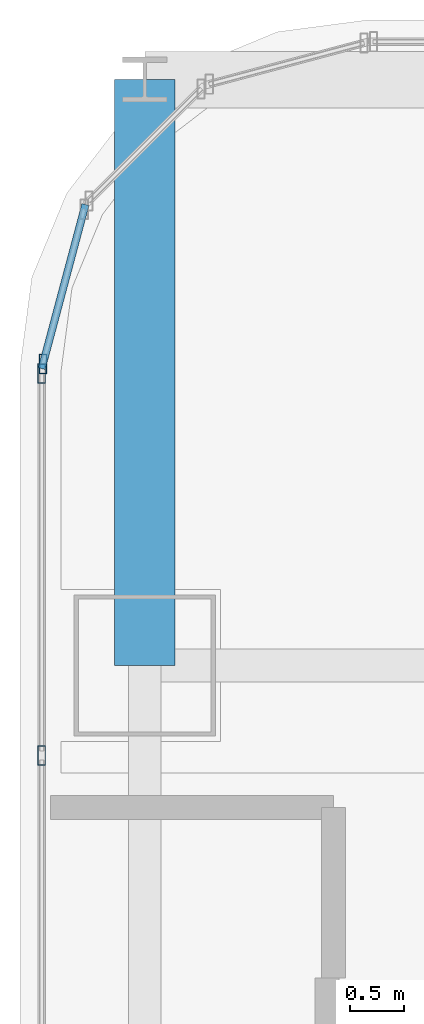
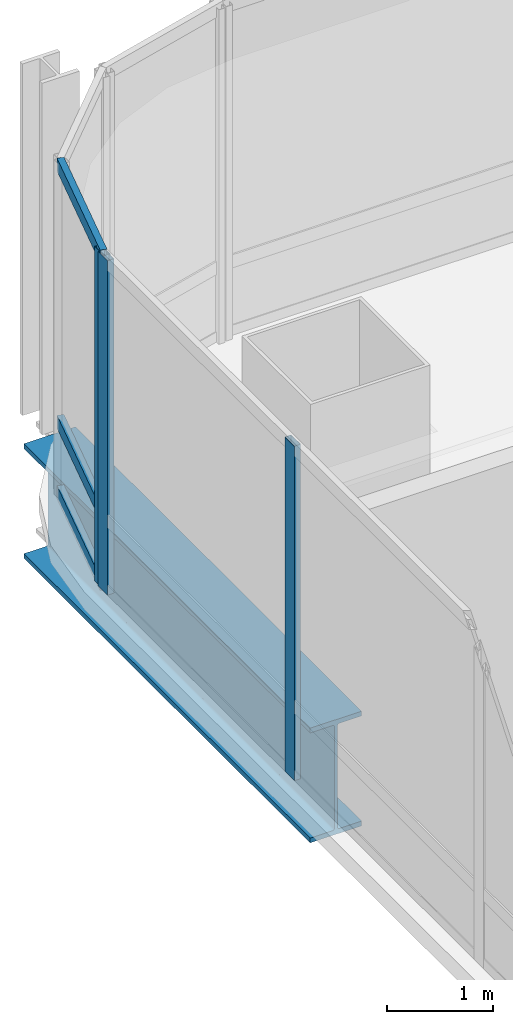
# One storey, part 22 of 42: 6 members, 1 beam, 2 elements without a shape of their own.
"""IFC4 building model written with IfcOpenShell, lengths in metres."""

from ifc_helpers import new_model, si_unit, direction, frame, origin, origin_2d, place, context, subcontext, project, spatial, hollow_rectangle, i_section, extrude, material, material_profile, profile_set, type_object, element, aggregate, save


model = new_model("IFC4")

# Units and contexts
model_context = context("Model", 3, precision=1e-05, world=origin(), true_north=direction((0.0, 1.0)))
body_context = subcontext(model_context, "Body", "Model", "MODEL_VIEW")
ifc_project = project(units=[si_unit("LENGTHUNIT", "METRE"), si_unit("AREAUNIT", "SQUARE_METRE"), si_unit("VOLUMEUNIT", "CUBIC_METRE"), si_unit("PLANEANGLEUNIT", "RADIAN"), si_unit("MASSUNIT", "GRAM", prefix="KILO")], contexts=[model_context])

# Site, building, storey
site_placement = place(None, origin())
site = spatial("IfcSite", under=ifc_project, at=site_placement, CompositionType="ELEMENT")
building_placement = place(site_placement, origin())
building = spatial("IfcBuilding", under=site, at=building_placement, Name="Punatoya Terracotta Tower", CompositionType="ELEMENT")
storey_placement = place(building_placement, frame((0.0, 0.0, 263.550048828125)))
storey = spatial("IfcBuildingStorey", under=building, at=storey_placement, Name="L62", CompositionType="ELEMENT", Elevation=263.550048828125)

# Beam
ifc_material_1 = material(Name="Steel S460", Category="steel")
ifc_material_profile_1 = material_profile(ifc_material_1, i_section(OverallWidth=0.56005859375, OverallDepth=1.320068359375, WebThickness=0.035888671875, FlangeThickness=0.054931640625, FilletRadius=0.01806640625, at=origin_2d()))
ifc_profile_set_1 = profile_set([ifc_material_profile_1], Name="Steel S460")
beam_type = type_object("IfcBeamType", Name="BM-TG-BLK", PredefinedType="BEAM", material=ifc_profile_set_1)
beam_placement = place(storey_placement, frame((-19.10009765625, 17.5, -0.860107421875), z_axis=(0.0, 1.0, 0.0), x_axis=(-1.0, 0.0, 0.0)))
element("IfcBeam", 1, at=beam_placement, inside=storey, type_object=beam_type, Name="BM-L62-CANT-N1", PredefinedType="BEAM", context=body_context, shape_type="SweptSolid", body=[
    extrude(i_section(OverallWidth=0.56005859375, OverallDepth=1.320068359375, WebThickness=0.035888671875, FlangeThickness=0.054931640625, FilletRadius=0.01806640625, at=origin_2d()), origin(), (0.0, 0.0, 1.0), 5.39990234375),
])

# Curtain wall, member
ifc_material_2 = material(Name="Aluminium 6063-T6 + Double Low-E Glass", Category="aluminium")
curtain_wall_type = type_object("IfcCurtainWallType", Name="CW-M3", PredefinedType="NOTDEFINED", material=ifc_material_2)
curtain_wall_1_placement = place(storey_placement, origin())
curtain_wall_1 = element("IfcCurtainWall", 2, at=curtain_wall_1_placement, inside=storey, type_object=curtain_wall_type, Name="L62 Curtain Wall CW-L62-CRN12", PredefinedType="NOTDEFINED")
ifc_material_3 = material(Name="Aluminium 6063-T6", Category="aluminium")
ifc_material_profile_2 = material_profile(ifc_material_3, hollow_rectangle(XDim=0.070068359375, YDim=0.179931640625, WallThickness=0.00390625, at=origin_2d()))
ifc_profile_set_2 = profile_set([ifc_material_profile_2], Name="Aluminium 6063-T6")
member_type_1 = type_object("IfcMemberType", Name="CW-MUL-M3", PredefinedType="MULLION", material=ifc_profile_set_2)
member_1_placement = place(storey_placement, frame((-20.038330078125, 20.280517578125, 0.0), z_axis=(0.0, 0.0, 1.0), x_axis=(1.0, 0.0, 0.0)))
member_1 = element("IfcMember", 3, at=member_1_placement, type_object=member_type_1, Name="CW-L62-CRN12 Mullion 01", PredefinedType="MULLION", context=body_context, shape_type="SweptSolid", body=[
    extrude(hollow_rectangle(XDim=0.070068359375, YDim=0.179931640625, WallThickness=0.00390625, at=origin_2d()), origin(), (0.0, 0.0, 1.0), 3.849853515625),
])

# Curtain wall, members
curtain_wall_2_placement = place(storey_placement, origin())
curtain_wall_2 = element("IfcCurtainWall", 4, at=curtain_wall_2_placement, inside=storey, type_object=curtain_wall_type, Name="L62 Curtain Wall CW-L62-W13-1", PredefinedType="NOTDEFINED")
member_2_placement = place(storey_placement, frame((-20.050048828125, 20.19189453125, 0.0), z_axis=(0.0, 0.0, 1.0), x_axis=(1.0, 0.0, 0.0)))
member_2 = element("IfcMember", 5, at=member_2_placement, type_object=member_type_1, Name="CW-L62-W13-1 Mullion 00", PredefinedType="MULLION", context=body_context, shape_type="SweptSolid", body=[
    extrude(hollow_rectangle(XDim=0.070068359375, YDim=0.179931640625, WallThickness=0.00390625, at=origin_2d()), origin(), (0.0, 0.0, 1.0), 3.849853515625),
])
member_3_placement = place(storey_placement, frame((-20.050048828125, 16.66943359375, 0.0), z_axis=(0.0, 0.0, 1.0), x_axis=(1.0, 0.0, 0.0)))
member_3 = element("IfcMember", 6, at=member_3_placement, type_object=member_type_1, Name="CW-L62-W13-1 Mullion 01", PredefinedType="MULLION", context=body_context, shape_type="SweptSolid", body=[
    extrude(hollow_rectangle(XDim=0.070068359375, YDim=0.179931640625, WallThickness=0.00390625, at=origin_2d()), origin(), (0.0, 0.0, 1.0), 3.849853515625),
])
aggregate(curtain_wall_2, [member_2, member_3])

# Member
ifc_material_profile_3 = material_profile(ifc_material_3, hollow_rectangle(XDim=0.068115234375, YDim=0.14990234375, WallThickness=0.00390625, at=origin_2d()))
ifc_profile_set_3 = profile_set([ifc_material_profile_3], Name="Aluminium 6063-T6")
member_type_2 = type_object("IfcMemberType", Name="CW-TRN-TYP", PredefinedType="USERDEFINED", material=ifc_profile_set_3)
member_4_placement = place(storey_placement, frame((-19.646484375, 21.7490234375, 0.0400390625), z_axis=(-0.257847112249, -0.966185730957, 0.0), x_axis=(0.966185730957, -0.257847112249, 0.0)))
member_4 = element("IfcMember", 7, at=member_4_placement, type_object=member_type_2, Name="CW-L62-CRN12 Transom 1", ObjectType="TRANSOM", PredefinedType="USERDEFINED", context=body_context, shape_type="SweptSolid", body=[
    extrude(hollow_rectangle(XDim=0.068115234375, YDim=0.14990234375, WallThickness=0.00390625, at=origin_2d()), origin(), (0.0, 0.0, 1.0), 1.565185546875),
])

member_5_placement = place(storey_placement, frame((-19.646484375, 21.7490234375, 0.849853515625), z_axis=(-0.257847112249, -0.966185730957, 0.0), x_axis=(0.966185730957, -0.257847112249, 0.0)))
member_5 = element("IfcMember", 8, at=member_5_placement, type_object=member_type_2, Name="CW-L62-CRN12 Transom 2", ObjectType="TRANSOM", PredefinedType="USERDEFINED", context=body_context, shape_type="SweptSolid", body=[
    extrude(hollow_rectangle(XDim=0.068115234375, YDim=0.14990234375, WallThickness=0.00390625, at=origin_2d()), origin(), (0.0, 0.0, 1.0), 1.565185546875),
])

member_6_placement = place(storey_placement, frame((-19.646484375, 21.7490234375, 3.81005859375), z_axis=(-0.257847112249, -0.966185730957, 0.0), x_axis=(0.966185730957, -0.257847112249, 0.0)))
member_6 = element("IfcMember", 9, at=member_6_placement, type_object=member_type_2, Name="CW-L62-CRN12 Transom 3", ObjectType="TRANSOM", PredefinedType="USERDEFINED", context=body_context, shape_type="SweptSolid", body=[
    extrude(hollow_rectangle(XDim=0.068115234375, YDim=0.14990234375, WallThickness=0.00390625, at=origin_2d()), origin(), (0.0, 0.0, 1.0), 1.565185546875),
])

aggregate(curtain_wall_1, [member_1, member_4, member_5, member_6])

save(model, "model.ifc")
